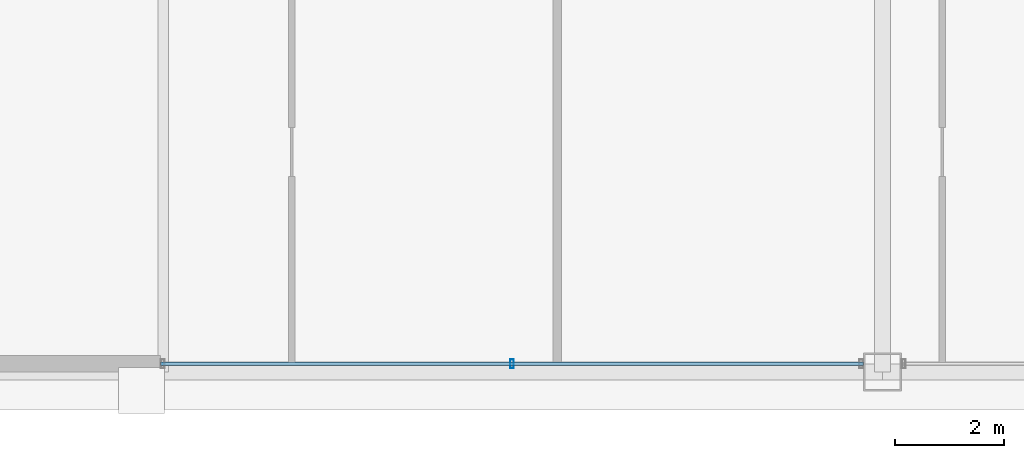
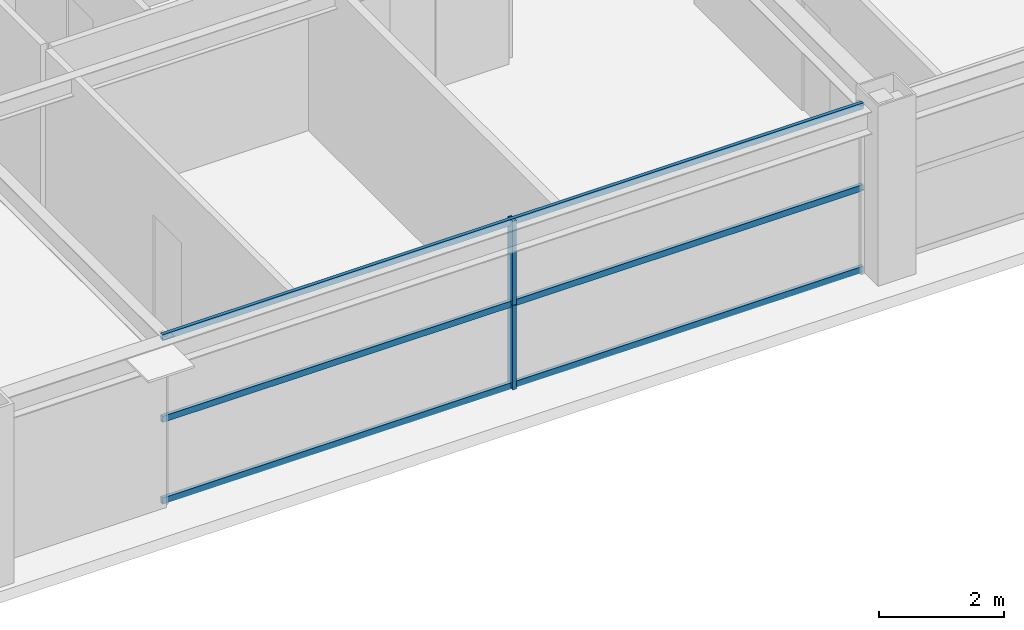
# One storey, part 5 of 37: 5 members, 1 element without a shape of its own.
"""IFC4 building model written with IfcOpenShell, lengths in metres."""

from ifc_helpers import new_model, si_unit, direction, frame, origin, origin_2d, place, context, subcontext, project, spatial, hollow_rectangle, extrude, source, transform, mapped, material, layer, layer_set, material_profile, profile_set, type_object, element, aggregate, save


model = new_model("IFC4")

# Units and contexts
model_context = context("Model", 3, precision=1e-05, world=origin(), true_north=direction((0.0, 1.0)))
body_context = subcontext(model_context, "Body", "Model", "MODEL_VIEW")
ifc_project = project(units=[si_unit("LENGTHUNIT", "METRE"), si_unit("AREAUNIT", "SQUARE_METRE"), si_unit("VOLUMEUNIT", "CUBIC_METRE"), si_unit("PLANEANGLEUNIT", "RADIAN"), si_unit("MASSUNIT", "GRAM", prefix="KILO"), si_unit("THERMODYNAMICTEMPERATUREUNIT", "KELVIN"), si_unit("POWERUNIT", "WATT")], contexts=[model_context])

# Site, building, storey
site_placement = place(None, origin())
site = spatial("IfcSite", under=ifc_project, at=site_placement, CompositionType="ELEMENT")
building_placement = place(site_placement, origin())
building = spatial("IfcBuilding", under=site, at=building_placement, Name="Yuzanri Waterfront Tower", CompositionType="ELEMENT")
storey_placement = place(building_placement, frame((0.0, 0.0, 245.10009765625)))
storey = spatial("IfcBuildingStorey", under=building, at=storey_placement, Name="L65", CompositionType="ELEMENT", Elevation=245.10009765625)

# Curtain wall, members
ifc_material_1 = material(Name="Anodized Architectural Bronze", Category="metal")
ifc_layer = layer(ifc_material_1, 0.159912109375)
ifc_layer_set = layer_set([ifc_layer], Name="Anodized Architectural Bronze")
curtain_wall_type = type_object("IfcCurtainWallType", Name="Anodized Bronze Mid-Rise Residential Acoustic Unitized Curtain Wall 7200", PredefinedType="NOTDEFINED", material=ifc_layer_set)
curtain_wall_placement = place(storey_placement, origin())
curtain_wall = element("IfcCurtainWall", 1, at=curtain_wall_placement, inside=storey, type_object=curtain_wall_type, Name="L65 Curtain Wall CW-L65-SL", PredefinedType="NOTDEFINED")
ifc_material_2 = material(Name="Anodized Architectural Bronze", Category="metal")
ifc_material_profile_1 = material_profile(ifc_material_2, hollow_rectangle(XDim=0.06494140625, YDim=0.159912109375, WallThickness=0.00341796875, at=origin_2d()), Name="CWM 65x160")
ifc_profile_set_1 = profile_set([ifc_material_profile_1], Name="Anodized Architectural Bronze")
member_type_1 = type_object("IfcMemberType", Name="Anodized Bronze Upper-Zone Curtain-Wall Mullion 65x160", PredefinedType="MULLION", material=ifc_profile_set_1)
shared_shape_1 = source(origin(), body_context, "Body", "SweptSolid", [
    extrude(hollow_rectangle(XDim=0.06494140625, YDim=0.159912109375, WallThickness=0.00341796875, at=origin_2d()), origin(), (0.0, 0.0, 1.0), 1.637939453125),
])
member_1_placement = place(storey_placement, frame((30.199951171875, 5.35009765625, 0.0), z_axis=(0.0, 0.0, 1.0), x_axis=(1.0, 0.0, 0.0)))
member_1 = element("IfcMember", 2, at=member_1_placement, type_object=member_type_1, Name="CW-L65-SL Lower Mullion 01", PredefinedType="MULLION", context=body_context, shape_type="MappedRepresentation", body=[
    mapped(shared_shape_1, transform((0.0, 0.0, 0.0), scale=1.0)),
])
member_2_placement = place(storey_placement, frame((30.199951171875, 5.35009765625, 1.641845703125), z_axis=(0.0, 0.0, 1.0), x_axis=(1.0, 0.0, 0.0)))
member_2 = element("IfcMember", 3, at=member_2_placement, type_object=member_type_1, Name="CW-L65-SL Upper Mullion 01", PredefinedType="MULLION", context=body_context, shape_type="MappedRepresentation", body=[
    mapped(shared_shape_1, transform((0.0, 0.0, 0.0), scale=1.0)),
])
ifc_material_3 = material(Name="Anodized Architectural Bronze", Category="metal")
ifc_material_profile_2 = material_profile(ifc_material_3, hollow_rectangle(XDim=0.06494140625, YDim=0.1201171875, WallThickness=0.00341796875, at=origin_2d()), Name="CWT 65x120")
ifc_profile_set_2 = profile_set([ifc_material_profile_2], Name="Anodized Architectural Bronze")
member_type_2 = type_object("IfcMemberType", Name="Anodized Bronze Secondary Curtain-Wall Transom 65x120", PredefinedType="USERDEFINED", material=ifc_profile_set_2)
shared_shape_2 = source(origin(), body_context, "Body", "SweptSolid", [
    extrude(hollow_rectangle(XDim=0.06494140625, YDim=0.1201171875, WallThickness=0.00341796875, at=origin_2d()), origin(), (0.0, 0.0, 1.0), 12.89990234375),
])
member_3_placement = place(storey_placement, frame((23.75, 5.35009765625, 0.0498046875), z_axis=(1.0, 0.0, 0.0), x_axis=(0.0, 1.0, 0.0)))
member_3 = element("IfcMember", 4, at=member_3_placement, type_object=member_type_2, Name="CW-L65-SL Transom 1", ObjectType="TRANSOM", PredefinedType="USERDEFINED", context=body_context, shape_type="MappedRepresentation", body=[
    mapped(shared_shape_2, transform((0.0, 0.0, 0.0), scale=1.0)),
])
member_4_placement = place(storey_placement, frame((23.75, 5.35009765625, 1.639892578125), z_axis=(1.0, 0.0, 0.0), x_axis=(0.0, 1.0, 0.0)))
member_4 = element("IfcMember", 5, at=member_4_placement, type_object=member_type_2, Name="CW-L65-SL Transom 2", ObjectType="TRANSOM", PredefinedType="USERDEFINED", context=body_context, shape_type="MappedRepresentation", body=[
    mapped(shared_shape_2, transform((0.0, 0.0, 0.0), scale=1.0)),
])
member_5_placement = place(storey_placement, frame((23.75, 5.35009765625, 3.22998046875), z_axis=(1.0, 0.0, 0.0), x_axis=(0.0, 1.0, 0.0)))
member_5 = element("IfcMember", 6, at=member_5_placement, type_object=member_type_2, Name="CW-L65-SL Transom 3", ObjectType="TRANSOM", PredefinedType="USERDEFINED", context=body_context, shape_type="MappedRepresentation", body=[
    mapped(shared_shape_2, transform((0.0, 0.0, 0.0), scale=1.0)),
])
aggregate(curtain_wall, [member_1, member_2, member_3, member_4, member_5])

save(model, "model.ifc")
